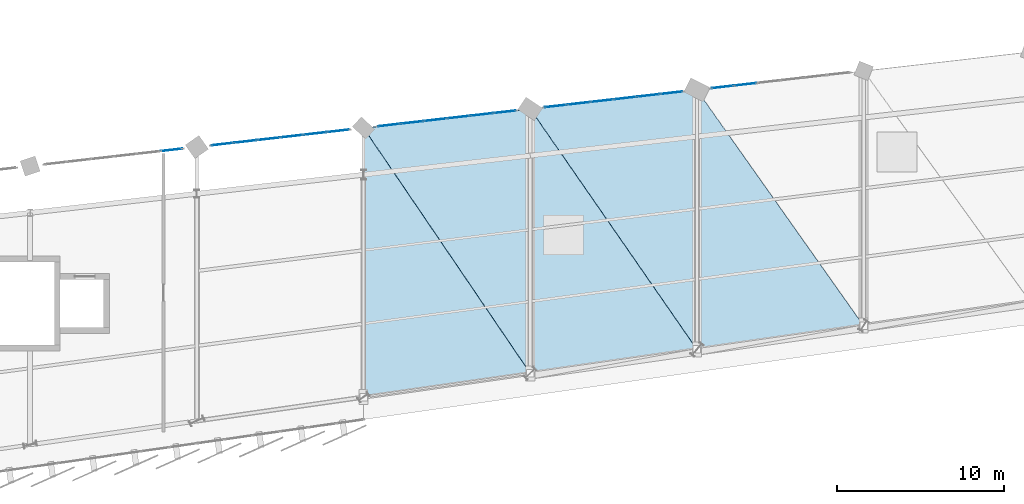
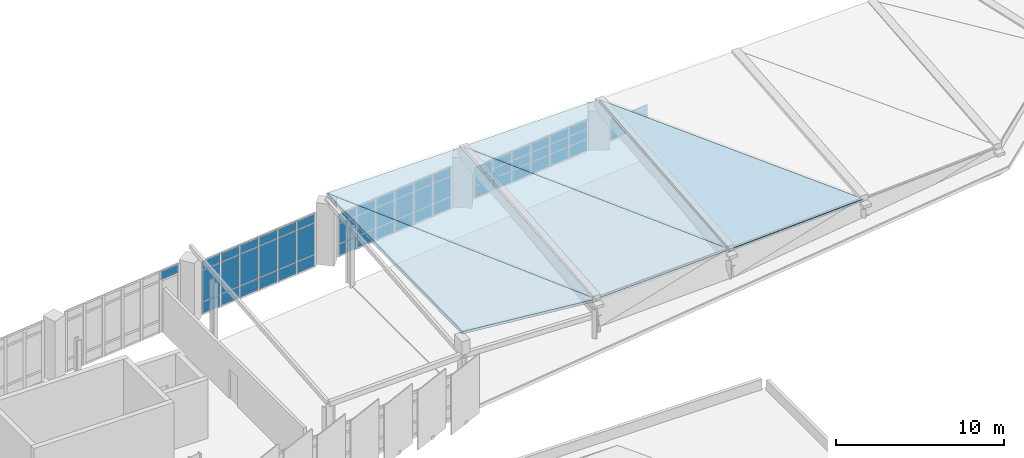
# One storey, part 50 of 67: 59 plates, 5 slabs, 5 elements without a shape of their own.
"""IFC4 building model written with IfcOpenShell, lengths in metres."""

from ifc_helpers import new_model, si_unit, direction, frame, origin, origin_2d, place, context, subcontext, project, spatial, polyline, rectangle, outline, extrude, material, layer, layer_set, type_object, element, aggregate, save


model = new_model("IFC4")

# Units and contexts
model_context = context("Model", 3, precision=1e-05, world=origin(), true_north=direction((0.0, 1.0)))
body_context = subcontext(model_context, "Body", "Model", "MODEL_VIEW")
ifc_project = project(units=[si_unit("LENGTHUNIT", "METRE"), si_unit("AREAUNIT", "SQUARE_METRE"), si_unit("VOLUMEUNIT", "CUBIC_METRE"), si_unit("PLANEANGLEUNIT", "RADIAN"), si_unit("MASSUNIT", "GRAM", prefix="KILO")], contexts=[model_context])

# Site, building, storey
site_placement = place(None, origin())
site = spatial("IfcSite", under=ifc_project, at=site_placement, CompositionType="ELEMENT")
building_placement = place(site_placement, origin())
building = spatial("IfcBuilding", under=site, at=building_placement, Name="Sohan Crest Arena", CompositionType="ELEMENT")
storey_placement = place(building_placement, frame((0.0, 0.0, 22.5)))
storey = spatial("IfcBuildingStorey", under=building, at=storey_placement, Name="L05", CompositionType="ELEMENT", Elevation=22.5)

# Curtain wall, plate
ifc_material_1 = material(Name="Thermally broken anodised aluminium", Category="aluminium")
ifc_layer_1 = layer(ifc_material_1, 0.18994140625, Name="Thermally broken anodised aluminium")
ifc_layer_set_1 = layer_set([ifc_layer_1], Name="Thermally broken anodised aluminium")
curtain_wall_type = type_object("IfcCurtainWallType", Name="ARC-CW05", PredefinedType="NOTDEFINED", material=ifc_layer_set_1)
curtain_wall_1_placement = place(storey_placement, origin())
curtain_wall_1 = element("IfcCurtainWall", 1, at=curtain_wall_1_placement, inside=storey, type_object=curtain_wall_type, Name="Unitised curtain wall CW-190", PredefinedType="NOTDEFINED")
ifc_material_2 = material(Name="Ceramic-fritted solar-control insulated glass", Category="glass")
ifc_layer_2 = layer(ifc_material_2, 0.035888671875, Name="Ceramic-fritted solar-control insulated glass")
ifc_layer_set_2 = layer_set([ifc_layer_2], Name="Ceramic-fritted solar-control insulated glass")
plate_type = type_object("IfcPlateType", Name="ARC-CNP03", PredefinedType="CURTAIN_PANEL", material=ifc_layer_set_2)
plate_1_placement = place(storey_placement, frame((116.47021484375, 49.111328125, 3.782470703125), z_axis=(0.0, 0.0, 1.0), x_axis=(0.993526932422, 0.11359680696, 0.0)))
plate_1 = element("IfcPlate", 2, at=plate_1_placement, type_object=plate_type, Name="CW-190 panel 6.3", PredefinedType="CURTAIN_PANEL", context=body_context, shape_type="SweptSolid", body=[
    extrude(rectangle(XDim=1.299072265625, YDim=0.035888671875, at=origin_2d()), origin(), (0.0, 0.0, 1.0), 0.6025390625),
])
aggregate(curtain_wall_1, [plate_1])

# Curtain wall, plates
curtain_wall_2_placement = place(storey_placement, origin())
curtain_wall_2 = element("IfcCurtainWall", 3, at=curtain_wall_2_placement, inside=storey, type_object=curtain_wall_type, Name="Unitised curtain wall CW-191", PredefinedType="NOTDEFINED")
plate_2_placement = place(storey_placement, frame((119.52978515625, 49.460693359375, 0.06494140625), z_axis=(0.0, 0.0, 1.0), x_axis=(0.993526932422, 0.11359680696, 0.0)))
plate_2 = element("IfcPlate", 4, at=plate_2_placement, type_object=plate_type, Name="CW-191 panel 1.1", PredefinedType="CURTAIN_PANEL", context=body_context, shape_type="SweptSolid", body=[
    extrude(rectangle(XDim=1.299072265625, YDim=0.035888671875, at=origin_2d()), origin(), (0.0, 0.0, 1.0), 0.802490234375),
])
plate_3_placement = place(storey_placement, frame((119.52978515625, 49.460693359375, 0.9326171875), z_axis=(0.0, 0.0, 1.0), x_axis=(0.993526932422, 0.11359680696, 0.0)))
plate_3 = element("IfcPlate", 5, at=plate_3_placement, type_object=plate_type, Name="CW-191 panel 1.2", PredefinedType="CURTAIN_PANEL", context=body_context, shape_type="SweptSolid", body=[
    extrude(rectangle(XDim=1.299072265625, YDim=0.035888671875, at=origin_2d()), origin(), (0.0, 0.0, 1.0), 2.240966796875),
])
plate_4_placement = place(storey_placement, frame((119.52978515625, 49.460693359375, 3.238525390625), z_axis=(0.0, 0.0, 1.0), x_axis=(0.993526932422, 0.11359680696, 0.0)))
plate_4 = element("IfcPlate", 6, at=plate_4_placement, type_object=plate_type, Name="CW-191 panel 1.3", PredefinedType="CURTAIN_PANEL", context=body_context, shape_type="SweptSolid", body=[
    extrude(rectangle(XDim=1.299072265625, YDim=0.035888671875, at=origin_2d()), origin(), (0.0, 0.0, 1.0), 0.6025390625),
])
plate_5_placement = place(storey_placement, frame((120.907470703125, 49.6181640625, 0.06494140625), z_axis=(0.0, 0.0, 1.0), x_axis=(0.993526932422, 0.11359680696, 0.0)))
plate_5 = element("IfcPlate", 7, at=plate_5_placement, type_object=plate_type, Name="CW-191 panel 2.1", PredefinedType="CURTAIN_PANEL", context=body_context, shape_type="SweptSolid", body=[
    extrude(rectangle(XDim=1.333984375, YDim=0.035888671875, at=origin_2d()), origin(), (0.0, 0.0, 1.0), 0.802490234375),
])
plate_6_placement = place(storey_placement, frame((120.907470703125, 49.6181640625, 0.9326171875), z_axis=(0.0, 0.0, 1.0), x_axis=(0.993526932422, 0.11359680696, 0.0)))
plate_6 = element("IfcPlate", 8, at=plate_6_placement, type_object=plate_type, Name="CW-191 panel 2.2", PredefinedType="CURTAIN_PANEL", context=body_context, shape_type="SweptSolid", body=[
    extrude(rectangle(XDim=1.333984375, YDim=0.035888671875, at=origin_2d()), origin(), (0.0, 0.0, 1.0), 2.240966796875),
])
plate_7_placement = place(storey_placement, frame((120.907470703125, 49.6181640625, 3.238525390625), z_axis=(0.0, 0.0, 1.0), x_axis=(0.993526932422, 0.11359680696, 0.0)))
plate_7 = element("IfcPlate", 9, at=plate_7_placement, type_object=plate_type, Name="CW-191 panel 2.3", PredefinedType="CURTAIN_PANEL", context=body_context, shape_type="SweptSolid", body=[
    extrude(rectangle(XDim=1.333984375, YDim=0.035888671875, at=origin_2d()), origin(), (0.0, 0.0, 1.0), 0.6025390625),
])
plate_8_placement = place(storey_placement, frame((122.302490234375, 49.77783203125, 0.06494140625), z_axis=(0.0, 0.0, 1.0), x_axis=(0.993526932422, 0.11359680696, 0.0)))
plate_8 = element("IfcPlate", 10, at=plate_8_placement, type_object=plate_type, Name="CW-191 panel 3.1", PredefinedType="CURTAIN_PANEL", context=body_context, shape_type="SweptSolid", body=[
    extrude(rectangle(XDim=1.333984375, YDim=0.035888671875, at=origin_2d()), origin(), (0.0, 0.0, 1.0), 0.802490234375),
])
plate_9_placement = place(storey_placement, frame((122.302490234375, 49.77783203125, 0.9326171875), z_axis=(0.0, 0.0, 1.0), x_axis=(0.993526932422, 0.11359680696, 0.0)))
plate_9 = element("IfcPlate", 11, at=plate_9_placement, type_object=plate_type, Name="CW-191 panel 3.2", PredefinedType="CURTAIN_PANEL", context=body_context, shape_type="SweptSolid", body=[
    extrude(rectangle(XDim=1.333984375, YDim=0.035888671875, at=origin_2d()), origin(), (0.0, 0.0, 1.0), 2.240966796875),
])
plate_10_placement = place(storey_placement, frame((122.302490234375, 49.77783203125, 3.238525390625), z_axis=(0.0, 0.0, 1.0), x_axis=(0.993526932422, 0.11359680696, 0.0)))
plate_10 = element("IfcPlate", 12, at=plate_10_placement, type_object=plate_type, Name="CW-191 panel 3.3", PredefinedType="CURTAIN_PANEL", context=body_context, shape_type="SweptSolid", body=[
    extrude(rectangle(XDim=1.333984375, YDim=0.035888671875, at=origin_2d()), origin(), (0.0, 0.0, 1.0), 0.6025390625),
])
plate_11_placement = place(storey_placement, frame((123.697509765625, 49.937255859375, 0.06494140625), z_axis=(0.0, 0.0, 1.0), x_axis=(0.993526932422, 0.11359680696, 0.0)))
plate_11 = element("IfcPlate", 13, at=plate_11_placement, type_object=plate_type, Name="CW-191 panel 4.1", PredefinedType="CURTAIN_PANEL", context=body_context, shape_type="SweptSolid", body=[
    extrude(rectangle(XDim=1.333984375, YDim=0.035888671875, at=origin_2d()), origin(), (0.0, 0.0, 1.0), 0.802490234375),
])
plate_12_placement = place(storey_placement, frame((123.697509765625, 49.937255859375, 0.9326171875), z_axis=(0.0, 0.0, 1.0), x_axis=(0.993526932422, 0.11359680696, 0.0)))
plate_12 = element("IfcPlate", 14, at=plate_12_placement, type_object=plate_type, Name="CW-191 panel 4.2", PredefinedType="CURTAIN_PANEL", context=body_context, shape_type="SweptSolid", body=[
    extrude(rectangle(XDim=1.333984375, YDim=0.035888671875, at=origin_2d()), origin(), (0.0, 0.0, 1.0), 2.240966796875),
])
plate_13_placement = place(storey_placement, frame((123.697509765625, 49.937255859375, 3.238525390625), z_axis=(0.0, 0.0, 1.0), x_axis=(0.993526932422, 0.11359680696, 0.0)))
plate_13 = element("IfcPlate", 15, at=plate_13_placement, type_object=plate_type, Name="CW-191 panel 4.3", PredefinedType="CURTAIN_PANEL", context=body_context, shape_type="SweptSolid", body=[
    extrude(rectangle(XDim=1.333984375, YDim=0.035888671875, at=origin_2d()), origin(), (0.0, 0.0, 1.0), 0.6025390625),
])
plate_14_placement = place(storey_placement, frame((125.092529296875, 50.0966796875, 0.06494140625), z_axis=(0.0, 0.0, 1.0), x_axis=(0.993526932422, 0.11359680696, 0.0)))
plate_14 = element("IfcPlate", 16, at=plate_14_placement, type_object=plate_type, Name="CW-191 panel 5.1", PredefinedType="CURTAIN_PANEL", context=body_context, shape_type="SweptSolid", body=[
    extrude(rectangle(XDim=1.333984375, YDim=0.035888671875, at=origin_2d()), origin(), (0.0, 0.0, 1.0), 0.802490234375),
])
plate_15_placement = place(storey_placement, frame((125.092529296875, 50.0966796875, 0.9326171875), z_axis=(0.0, 0.0, 1.0), x_axis=(0.993526932422, 0.11359680696, 0.0)))
plate_15 = element("IfcPlate", 17, at=plate_15_placement, type_object=plate_type, Name="CW-191 panel 5.2", PredefinedType="CURTAIN_PANEL", context=body_context, shape_type="SweptSolid", body=[
    extrude(rectangle(XDim=1.333984375, YDim=0.035888671875, at=origin_2d()), origin(), (0.0, 0.0, 1.0), 2.240966796875),
])
plate_16_placement = place(storey_placement, frame((125.092529296875, 50.0966796875, 3.238525390625), z_axis=(0.0, 0.0, 1.0), x_axis=(0.993526932422, 0.11359680696, 0.0)))
plate_16 = element("IfcPlate", 18, at=plate_16_placement, type_object=plate_type, Name="CW-191 panel 5.3", PredefinedType="CURTAIN_PANEL", context=body_context, shape_type="SweptSolid", body=[
    extrude(rectangle(XDim=1.333984375, YDim=0.035888671875, at=origin_2d()), origin(), (0.0, 0.0, 1.0), 0.6025390625),
])
plate_17_placement = place(storey_placement, frame((126.47021484375, 50.254150390625, 0.06494140625), z_axis=(0.0, 0.0, 1.0), x_axis=(0.993526932422, 0.11359680696, 0.0)))
plate_17 = element("IfcPlate", 19, at=plate_17_placement, type_object=plate_type, Name="CW-191 panel 6.1", PredefinedType="CURTAIN_PANEL", context=body_context, shape_type="SweptSolid", body=[
    extrude(rectangle(XDim=1.299072265625, YDim=0.035888671875, at=origin_2d()), origin(), (0.0, 0.0, 1.0), 0.802490234375),
])
plate_18_placement = place(storey_placement, frame((126.47021484375, 50.254150390625, 0.9326171875), z_axis=(0.0, 0.0, 1.0), x_axis=(0.993526932422, 0.11359680696, 0.0)))
plate_18 = element("IfcPlate", 20, at=plate_18_placement, type_object=plate_type, Name="CW-191 panel 6.2", PredefinedType="CURTAIN_PANEL", context=body_context, shape_type="SweptSolid", body=[
    extrude(rectangle(XDim=1.299072265625, YDim=0.035888671875, at=origin_2d()), origin(), (0.0, 0.0, 1.0), 2.240966796875),
])
plate_19_placement = place(storey_placement, frame((126.47021484375, 50.254150390625, 3.238525390625), z_axis=(0.0, 0.0, 1.0), x_axis=(0.993526932422, 0.11359680696, 0.0)))
plate_19 = element("IfcPlate", 21, at=plate_19_placement, type_object=plate_type, Name="CW-191 panel 6.3", PredefinedType="CURTAIN_PANEL", context=body_context, shape_type="SweptSolid", body=[
    extrude(rectangle(XDim=1.299072265625, YDim=0.035888671875, at=origin_2d()), origin(), (0.0, 0.0, 1.0), 0.6025390625),
])
aggregate(curtain_wall_2, [plate_2, plate_3, plate_4, plate_5, plate_6, plate_7, plate_8, plate_9, plate_10, plate_11, plate_12, plate_13, plate_14, plate_15, plate_16, plate_17, plate_18, plate_19])

curtain_wall_3_placement = place(storey_placement, origin())
curtain_wall_3 = element("IfcCurtainWall", 22, at=curtain_wall_3_placement, inside=storey, type_object=curtain_wall_type, Name="Unitised curtain wall CW-192", PredefinedType="NOTDEFINED")
plate_20_placement = place(storey_placement, frame((129.52978515625, 50.603759765625, 0.06494140625), z_axis=(0.0, 0.0, 1.0), x_axis=(0.993540322458, 0.1134796354, 0.0)))
plate_20 = element("IfcPlate", 23, at=plate_20_placement, type_object=plate_type, Name="CW-192 panel 1.1", PredefinedType="CURTAIN_PANEL", context=body_context, shape_type="SweptSolid", body=[
    extrude(rectangle(XDim=1.299072265625, YDim=0.035888671875, at=origin_2d()), origin(), (0.0, 0.0, 1.0), 0.802490234375),
])
plate_21_placement = place(storey_placement, frame((129.52978515625, 50.603759765625, 0.9326171875), z_axis=(0.0, 0.0, 1.0), x_axis=(0.993540322458, 0.1134796354, 0.0)))
plate_21 = element("IfcPlate", 24, at=plate_21_placement, type_object=plate_type, Name="CW-192 panel 1.2", PredefinedType="CURTAIN_PANEL", context=body_context, shape_type="SweptSolid", body=[
    extrude(rectangle(XDim=1.299072265625, YDim=0.035888671875, at=origin_2d()), origin(), (0.0, 0.0, 1.0), 1.419921875),
])
plate_22_placement = place(storey_placement, frame((129.52978515625, 50.603759765625, 2.41748046875), z_axis=(0.0, 0.0, 1.0), x_axis=(0.993540322458, 0.1134796354, 0.0)))
plate_22 = element("IfcPlate", 25, at=plate_22_placement, type_object=plate_type, Name="CW-192 panel 1.3", PredefinedType="CURTAIN_PANEL", context=body_context, shape_type="SweptSolid", body=[
    extrude(rectangle(XDim=1.299072265625, YDim=0.035888671875, at=origin_2d()), origin(), (0.0, 0.0, 1.0), 0.6025390625),
])
plate_23_placement = place(storey_placement, frame((130.907470703125, 50.760986328125, 0.06494140625), z_axis=(0.0, 0.0, 1.0), x_axis=(0.993540322458, 0.1134796354, 0.0)))
plate_23 = element("IfcPlate", 26, at=plate_23_placement, type_object=plate_type, Name="CW-192 panel 2.1", PredefinedType="CURTAIN_PANEL", context=body_context, shape_type="SweptSolid", body=[
    extrude(rectangle(XDim=1.333984375, YDim=0.035888671875, at=origin_2d()), origin(), (0.0, 0.0, 1.0), 0.802490234375),
])
plate_24_placement = place(storey_placement, frame((130.907470703125, 50.760986328125, 0.9326171875), z_axis=(0.0, 0.0, 1.0), x_axis=(0.993540322458, 0.1134796354, 0.0)))
plate_24 = element("IfcPlate", 27, at=plate_24_placement, type_object=plate_type, Name="CW-192 panel 2.2", PredefinedType="CURTAIN_PANEL", context=body_context, shape_type="SweptSolid", body=[
    extrude(rectangle(XDim=1.333984375, YDim=0.035888671875, at=origin_2d()), origin(), (0.0, 0.0, 1.0), 1.419921875),
])
plate_25_placement = place(storey_placement, frame((130.907470703125, 50.760986328125, 2.41748046875), z_axis=(0.0, 0.0, 1.0), x_axis=(0.993540322458, 0.1134796354, 0.0)))
plate_25 = element("IfcPlate", 28, at=plate_25_placement, type_object=plate_type, Name="CW-192 panel 2.3", PredefinedType="CURTAIN_PANEL", context=body_context, shape_type="SweptSolid", body=[
    extrude(rectangle(XDim=1.333984375, YDim=0.035888671875, at=origin_2d()), origin(), (0.0, 0.0, 1.0), 0.6025390625),
])
plate_26_placement = place(storey_placement, frame((132.302490234375, 50.92041015625, 0.06494140625), z_axis=(0.0, 0.0, 1.0), x_axis=(0.993540322458, 0.1134796354, 0.0)))
plate_26 = element("IfcPlate", 29, at=plate_26_placement, type_object=plate_type, Name="CW-192 panel 3.1", PredefinedType="CURTAIN_PANEL", context=body_context, shape_type="SweptSolid", body=[
    extrude(rectangle(XDim=1.333984375, YDim=0.035888671875, at=origin_2d()), origin(), (0.0, 0.0, 1.0), 0.802490234375),
])
plate_27_placement = place(storey_placement, frame((132.302490234375, 50.92041015625, 0.9326171875), z_axis=(0.0, 0.0, 1.0), x_axis=(0.993540322458, 0.1134796354, 0.0)))
plate_27 = element("IfcPlate", 30, at=plate_27_placement, type_object=plate_type, Name="CW-192 panel 3.2", PredefinedType="CURTAIN_PANEL", context=body_context, shape_type="SweptSolid", body=[
    extrude(rectangle(XDim=1.333984375, YDim=0.035888671875, at=origin_2d()), origin(), (0.0, 0.0, 1.0), 1.419921875),
])
plate_28_placement = place(storey_placement, frame((132.302490234375, 50.92041015625, 2.41748046875), z_axis=(0.0, 0.0, 1.0), x_axis=(0.993540322458, 0.1134796354, 0.0)))
plate_28 = element("IfcPlate", 31, at=plate_28_placement, type_object=plate_type, Name="CW-192 panel 3.3", PredefinedType="CURTAIN_PANEL", context=body_context, shape_type="SweptSolid", body=[
    extrude(rectangle(XDim=1.333984375, YDim=0.035888671875, at=origin_2d()), origin(), (0.0, 0.0, 1.0), 0.6025390625),
])
plate_29_placement = place(storey_placement, frame((133.697509765625, 51.07958984375, 0.06494140625), z_axis=(0.0, 0.0, 1.0), x_axis=(0.993540322458, 0.1134796354, 0.0)))
plate_29 = element("IfcPlate", 32, at=plate_29_placement, type_object=plate_type, Name="CW-192 panel 4.1", PredefinedType="CURTAIN_PANEL", context=body_context, shape_type="SweptSolid", body=[
    extrude(rectangle(XDim=1.333984375, YDim=0.035888671875, at=origin_2d()), origin(), (0.0, 0.0, 1.0), 0.802490234375),
])
plate_30_placement = place(storey_placement, frame((133.697509765625, 51.07958984375, 0.9326171875), z_axis=(0.0, 0.0, 1.0), x_axis=(0.993540322458, 0.1134796354, 0.0)))
plate_30 = element("IfcPlate", 33, at=plate_30_placement, type_object=plate_type, Name="CW-192 panel 4.2", PredefinedType="CURTAIN_PANEL", context=body_context, shape_type="SweptSolid", body=[
    extrude(rectangle(XDim=1.333984375, YDim=0.035888671875, at=origin_2d()), origin(), (0.0, 0.0, 1.0), 1.419921875),
])
plate_31_placement = place(storey_placement, frame((133.697509765625, 51.07958984375, 2.41748046875), z_axis=(0.0, 0.0, 1.0), x_axis=(0.993540322458, 0.1134796354, 0.0)))
plate_31 = element("IfcPlate", 34, at=plate_31_placement, type_object=plate_type, Name="CW-192 panel 4.3", PredefinedType="CURTAIN_PANEL", context=body_context, shape_type="SweptSolid", body=[
    extrude(rectangle(XDim=1.333984375, YDim=0.035888671875, at=origin_2d()), origin(), (0.0, 0.0, 1.0), 0.6025390625),
])
plate_32_placement = place(storey_placement, frame((135.092529296875, 51.239013671875, 0.06494140625), z_axis=(0.0, 0.0, 1.0), x_axis=(0.993540322458, 0.1134796354, 0.0)))
plate_32 = element("IfcPlate", 35, at=plate_32_placement, type_object=plate_type, Name="CW-192 panel 5.1", PredefinedType="CURTAIN_PANEL", context=body_context, shape_type="SweptSolid", body=[
    extrude(rectangle(XDim=1.333984375, YDim=0.035888671875, at=origin_2d()), origin(), (0.0, 0.0, 1.0), 0.802490234375),
])
plate_33_placement = place(storey_placement, frame((135.092529296875, 51.239013671875, 0.9326171875), z_axis=(0.0, 0.0, 1.0), x_axis=(0.993540322458, 0.1134796354, 0.0)))
plate_33 = element("IfcPlate", 36, at=plate_33_placement, type_object=plate_type, Name="CW-192 panel 5.2", PredefinedType="CURTAIN_PANEL", context=body_context, shape_type="SweptSolid", body=[
    extrude(rectangle(XDim=1.333984375, YDim=0.035888671875, at=origin_2d()), origin(), (0.0, 0.0, 1.0), 1.419921875),
])
plate_34_placement = place(storey_placement, frame((135.092529296875, 51.239013671875, 2.41748046875), z_axis=(0.0, 0.0, 1.0), x_axis=(0.993540322458, 0.1134796354, 0.0)))
plate_34 = element("IfcPlate", 37, at=plate_34_placement, type_object=plate_type, Name="CW-192 panel 5.3", PredefinedType="CURTAIN_PANEL", context=body_context, shape_type="SweptSolid", body=[
    extrude(rectangle(XDim=1.333984375, YDim=0.035888671875, at=origin_2d()), origin(), (0.0, 0.0, 1.0), 0.6025390625),
])
plate_35_placement = place(storey_placement, frame((136.47021484375, 51.396240234375, 0.06494140625), z_axis=(0.0, 0.0, 1.0), x_axis=(0.993540322458, 0.1134796354, 0.0)))
plate_35 = element("IfcPlate", 38, at=plate_35_placement, type_object=plate_type, Name="CW-192 panel 6.1", PredefinedType="CURTAIN_PANEL", context=body_context, shape_type="SweptSolid", body=[
    extrude(rectangle(XDim=1.299072265625, YDim=0.035888671875, at=origin_2d()), origin(), (0.0, 0.0, 1.0), 0.802490234375),
])
plate_36_placement = place(storey_placement, frame((136.47021484375, 51.396240234375, 0.9326171875), z_axis=(0.0, 0.0, 1.0), x_axis=(0.993540322458, 0.1134796354, 0.0)))
plate_36 = element("IfcPlate", 39, at=plate_36_placement, type_object=plate_type, Name="CW-192 panel 6.2", PredefinedType="CURTAIN_PANEL", context=body_context, shape_type="SweptSolid", body=[
    extrude(rectangle(XDim=1.299072265625, YDim=0.035888671875, at=origin_2d()), origin(), (0.0, 0.0, 1.0), 1.419921875),
])
plate_37_placement = place(storey_placement, frame((136.47021484375, 51.396240234375, 2.41748046875), z_axis=(0.0, 0.0, 1.0), x_axis=(0.993540322458, 0.1134796354, 0.0)))
plate_37 = element("IfcPlate", 40, at=plate_37_placement, type_object=plate_type, Name="CW-192 panel 6.3", PredefinedType="CURTAIN_PANEL", context=body_context, shape_type="SweptSolid", body=[
    extrude(rectangle(XDim=1.299072265625, YDim=0.035888671875, at=origin_2d()), origin(), (0.0, 0.0, 1.0), 0.6025390625),
])
aggregate(curtain_wall_3, [plate_20, plate_21, plate_22, plate_23, plate_24, plate_25, plate_26, plate_27, plate_28, plate_29, plate_30, plate_31, plate_32, plate_33, plate_34, plate_35, plate_36, plate_37])

curtain_wall_4_placement = place(storey_placement, origin())
curtain_wall_4 = element("IfcCurtainWall", 41, at=curtain_wall_4_placement, inside=storey, type_object=curtain_wall_type, Name="Unitised curtain wall CW-193", PredefinedType="NOTDEFINED")
plate_38_placement = place(storey_placement, frame((139.52978515625, 51.745849609375, 0.06494140625), z_axis=(0.0, 0.0, 1.0), x_axis=(0.993526932422, 0.11359680696, 0.0)))
plate_38 = element("IfcPlate", 42, at=plate_38_placement, type_object=plate_type, Name="CW-193 panel 1.1", PredefinedType="CURTAIN_PANEL", context=body_context, shape_type="SweptSolid", body=[
    extrude(rectangle(XDim=1.299072265625, YDim=0.035888671875, at=origin_2d()), origin(), (0.0, 0.0, 1.0), 0.802490234375),
])
plate_39_placement = place(storey_placement, frame((139.52978515625, 51.745849609375, 0.9326171875), z_axis=(0.0, 0.0, 1.0), x_axis=(0.993526932422, 0.11359680696, 0.0)))
plate_39 = element("IfcPlate", 43, at=plate_39_placement, type_object=plate_type, Name="CW-193 panel 1.2", PredefinedType="CURTAIN_PANEL", context=body_context, shape_type="SweptSolid", body=[
    extrude(rectangle(XDim=1.299072265625, YDim=0.035888671875, at=origin_2d()), origin(), (0.0, 0.0, 1.0), 0.64794921875),
])
plate_40_placement = place(storey_placement, frame((139.52978515625, 51.745849609375, 1.6455078125), z_axis=(0.0, 0.0, 1.0), x_axis=(0.993526932422, 0.11359680696, 0.0)))
plate_40 = element("IfcPlate", 44, at=plate_40_placement, type_object=plate_type, Name="CW-193 panel 1.3", PredefinedType="CURTAIN_PANEL", context=body_context, shape_type="SweptSolid", body=[
    extrude(rectangle(XDim=1.299072265625, YDim=0.035888671875, at=origin_2d()), origin(), (0.0, 0.0, 1.0), 0.6025390625),
])
plate_41_placement = place(storey_placement, frame((140.907470703125, 51.9033203125, 0.06494140625), z_axis=(0.0, 0.0, 1.0), x_axis=(0.993526932422, 0.11359680696, 0.0)))
plate_41 = element("IfcPlate", 45, at=plate_41_placement, type_object=plate_type, Name="CW-193 panel 2.1", PredefinedType="CURTAIN_PANEL", context=body_context, shape_type="SweptSolid", body=[
    extrude(rectangle(XDim=1.333984375, YDim=0.035888671875, at=origin_2d()), origin(), (0.0, 0.0, 1.0), 0.802490234375),
])
plate_42_placement = place(storey_placement, frame((140.907470703125, 51.9033203125, 0.9326171875), z_axis=(0.0, 0.0, 1.0), x_axis=(0.993526932422, 0.11359680696, 0.0)))
plate_42 = element("IfcPlate", 46, at=plate_42_placement, type_object=plate_type, Name="CW-193 panel 2.2", PredefinedType="CURTAIN_PANEL", context=body_context, shape_type="SweptSolid", body=[
    extrude(rectangle(XDim=1.333984375, YDim=0.035888671875, at=origin_2d()), origin(), (0.0, 0.0, 1.0), 0.64794921875),
])
plate_43_placement = place(storey_placement, frame((140.907470703125, 51.9033203125, 1.6455078125), z_axis=(0.0, 0.0, 1.0), x_axis=(0.993526932422, 0.11359680696, 0.0)))
plate_43 = element("IfcPlate", 47, at=plate_43_placement, type_object=plate_type, Name="CW-193 panel 2.3", PredefinedType="CURTAIN_PANEL", context=body_context, shape_type="SweptSolid", body=[
    extrude(rectangle(XDim=1.333984375, YDim=0.035888671875, at=origin_2d()), origin(), (0.0, 0.0, 1.0), 0.6025390625),
])
plate_44_placement = place(storey_placement, frame((142.302490234375, 52.062744140625, 0.06494140625), z_axis=(0.0, 0.0, 1.0), x_axis=(0.993526932422, 0.11359680696, 0.0)))
plate_44 = element("IfcPlate", 48, at=plate_44_placement, type_object=plate_type, Name="CW-193 panel 3.1", PredefinedType="CURTAIN_PANEL", context=body_context, shape_type="SweptSolid", body=[
    extrude(rectangle(XDim=1.333984375, YDim=0.035888671875, at=origin_2d()), origin(), (0.0, 0.0, 1.0), 0.802490234375),
])
plate_45_placement = place(storey_placement, frame((142.302490234375, 52.062744140625, 0.9326171875), z_axis=(0.0, 0.0, 1.0), x_axis=(0.993526932422, 0.11359680696, 0.0)))
plate_45 = element("IfcPlate", 49, at=plate_45_placement, type_object=plate_type, Name="CW-193 panel 3.2", PredefinedType="CURTAIN_PANEL", context=body_context, shape_type="SweptSolid", body=[
    extrude(rectangle(XDim=1.333984375, YDim=0.035888671875, at=origin_2d()), origin(), (0.0, 0.0, 1.0), 0.64794921875),
])
plate_46_placement = place(storey_placement, frame((142.302490234375, 52.062744140625, 1.6455078125), z_axis=(0.0, 0.0, 1.0), x_axis=(0.993526932422, 0.11359680696, 0.0)))
plate_46 = element("IfcPlate", 50, at=plate_46_placement, type_object=plate_type, Name="CW-193 panel 3.3", PredefinedType="CURTAIN_PANEL", context=body_context, shape_type="SweptSolid", body=[
    extrude(rectangle(XDim=1.333984375, YDim=0.035888671875, at=origin_2d()), origin(), (0.0, 0.0, 1.0), 0.6025390625),
])
plate_47_placement = place(storey_placement, frame((143.697509765625, 52.22216796875, 0.06494140625), z_axis=(0.0, 0.0, 1.0), x_axis=(0.993526932422, 0.11359680696, 0.0)))
plate_47 = element("IfcPlate", 51, at=plate_47_placement, type_object=plate_type, Name="CW-193 panel 4.1", PredefinedType="CURTAIN_PANEL", context=body_context, shape_type="SweptSolid", body=[
    extrude(rectangle(XDim=1.333984375, YDim=0.035888671875, at=origin_2d()), origin(), (0.0, 0.0, 1.0), 0.802490234375),
])
plate_48_placement = place(storey_placement, frame((143.697509765625, 52.22216796875, 0.9326171875), z_axis=(0.0, 0.0, 1.0), x_axis=(0.993526932422, 0.11359680696, 0.0)))
plate_48 = element("IfcPlate", 52, at=plate_48_placement, type_object=plate_type, Name="CW-193 panel 4.2", PredefinedType="CURTAIN_PANEL", context=body_context, shape_type="SweptSolid", body=[
    extrude(rectangle(XDim=1.333984375, YDim=0.035888671875, at=origin_2d()), origin(), (0.0, 0.0, 1.0), 0.64794921875),
])
plate_49_placement = place(storey_placement, frame((143.697509765625, 52.22216796875, 1.6455078125), z_axis=(0.0, 0.0, 1.0), x_axis=(0.993526932422, 0.11359680696, 0.0)))
plate_49 = element("IfcPlate", 53, at=plate_49_placement, type_object=plate_type, Name="CW-193 panel 4.3", PredefinedType="CURTAIN_PANEL", context=body_context, shape_type="SweptSolid", body=[
    extrude(rectangle(XDim=1.333984375, YDim=0.035888671875, at=origin_2d()), origin(), (0.0, 0.0, 1.0), 0.6025390625),
])
plate_50_placement = place(storey_placement, frame((145.092529296875, 52.3818359375, 0.06494140625), z_axis=(0.0, 0.0, 1.0), x_axis=(0.993526932422, 0.11359680696, 0.0)))
plate_50 = element("IfcPlate", 54, at=plate_50_placement, type_object=plate_type, Name="CW-193 panel 5.1", PredefinedType="CURTAIN_PANEL", context=body_context, shape_type="SweptSolid", body=[
    extrude(rectangle(XDim=1.333984375, YDim=0.035888671875, at=origin_2d()), origin(), (0.0, 0.0, 1.0), 0.802490234375),
])
plate_51_placement = place(storey_placement, frame((145.092529296875, 52.3818359375, 0.9326171875), z_axis=(0.0, 0.0, 1.0), x_axis=(0.993526932422, 0.11359680696, 0.0)))
plate_51 = element("IfcPlate", 55, at=plate_51_placement, type_object=plate_type, Name="CW-193 panel 5.2", PredefinedType="CURTAIN_PANEL", context=body_context, shape_type="SweptSolid", body=[
    extrude(rectangle(XDim=1.333984375, YDim=0.035888671875, at=origin_2d()), origin(), (0.0, 0.0, 1.0), 0.64794921875),
])
plate_52_placement = place(storey_placement, frame((145.092529296875, 52.3818359375, 1.6455078125), z_axis=(0.0, 0.0, 1.0), x_axis=(0.993526932422, 0.11359680696, 0.0)))
plate_52 = element("IfcPlate", 56, at=plate_52_placement, type_object=plate_type, Name="CW-193 panel 5.3", PredefinedType="CURTAIN_PANEL", context=body_context, shape_type="SweptSolid", body=[
    extrude(rectangle(XDim=1.333984375, YDim=0.035888671875, at=origin_2d()), origin(), (0.0, 0.0, 1.0), 0.6025390625),
])
plate_53_placement = place(storey_placement, frame((146.47021484375, 52.539306640625, 0.06494140625), z_axis=(0.0, 0.0, 1.0), x_axis=(0.993526932422, 0.11359680696, 0.0)))
plate_53 = element("IfcPlate", 57, at=plate_53_placement, type_object=plate_type, Name="CW-193 panel 6.1", PredefinedType="CURTAIN_PANEL", context=body_context, shape_type="SweptSolid", body=[
    extrude(rectangle(XDim=1.299072265625, YDim=0.035888671875, at=origin_2d()), origin(), (0.0, 0.0, 1.0), 0.802490234375),
])
plate_54_placement = place(storey_placement, frame((146.47021484375, 52.539306640625, 0.9326171875), z_axis=(0.0, 0.0, 1.0), x_axis=(0.993526932422, 0.11359680696, 0.0)))
plate_54 = element("IfcPlate", 58, at=plate_54_placement, type_object=plate_type, Name="CW-193 panel 6.2", PredefinedType="CURTAIN_PANEL", context=body_context, shape_type="SweptSolid", body=[
    extrude(rectangle(XDim=1.299072265625, YDim=0.035888671875, at=origin_2d()), origin(), (0.0, 0.0, 1.0), 0.64794921875),
])
plate_55_placement = place(storey_placement, frame((146.47021484375, 52.539306640625, 1.6455078125), z_axis=(0.0, 0.0, 1.0), x_axis=(0.993526932422, 0.11359680696, 0.0)))
plate_55 = element("IfcPlate", 59, at=plate_55_placement, type_object=plate_type, Name="CW-193 panel 6.3", PredefinedType="CURTAIN_PANEL", context=body_context, shape_type="SweptSolid", body=[
    extrude(rectangle(XDim=1.299072265625, YDim=0.035888671875, at=origin_2d()), origin(), (0.0, 0.0, 1.0), 0.6025390625),
])
aggregate(curtain_wall_4, [plate_38, plate_39, plate_40, plate_41, plate_42, plate_43, plate_44, plate_45, plate_46, plate_47, plate_48, plate_49, plate_50, plate_51, plate_52, plate_53, plate_54, plate_55])

curtain_wall_5_placement = place(storey_placement, origin())
curtain_wall_5 = element("IfcCurtainWall", 60, at=curtain_wall_5_placement, inside=storey, type_object=curtain_wall_type, Name="Unitised curtain wall CW-194", PredefinedType="NOTDEFINED")
plate_56_placement = place(storey_placement, frame((149.52978515625, 52.888671875, 0.06494140625), z_axis=(0.0, 0.0, 1.0), x_axis=(0.993526932422, 0.11359680696, 0.0)))
plate_56 = element("IfcPlate", 61, at=plate_56_placement, type_object=plate_type, Name="CW-194 panel 1.1", PredefinedType="CURTAIN_PANEL", context=body_context, shape_type="SweptSolid", body=[
    extrude(rectangle(XDim=1.299072265625, YDim=0.035888671875, at=origin_2d()), origin(), (0.0, 0.0, 1.0), 0.70458984375),
])
plate_57_placement = place(storey_placement, frame((149.52978515625, 52.888671875, 0.83447265625), z_axis=(0.0, 0.0, 1.0), x_axis=(0.993526932422, 0.11359680696, 0.0)))
plate_57 = element("IfcPlate", 62, at=plate_57_placement, type_object=plate_type, Name="CW-194 panel 1.2", PredefinedType="CURTAIN_PANEL", context=body_context, shape_type="SweptSolid", body=[
    extrude(rectangle(XDim=1.299072265625, YDim=0.035888671875, at=origin_2d()), origin(), (0.0, 0.0, 1.0), 0.70361328125),
])
plate_58_placement = place(storey_placement, frame((150.907470703125, 53.046142578125, 0.06494140625), z_axis=(0.0, 0.0, 1.0), x_axis=(0.993526932422, 0.11359680696, 0.0)))
plate_58 = element("IfcPlate", 63, at=plate_58_placement, type_object=plate_type, Name="CW-194 panel 2.1", PredefinedType="CURTAIN_PANEL", context=body_context, shape_type="SweptSolid", body=[
    extrude(rectangle(XDim=1.333984375, YDim=0.035888671875, at=origin_2d()), origin(), (0.0, 0.0, 1.0), 0.70458984375),
])
plate_59_placement = place(storey_placement, frame((150.907470703125, 53.046142578125, 0.83447265625), z_axis=(0.0, 0.0, 1.0), x_axis=(0.993526932422, 0.11359680696, 0.0)))
plate_59 = element("IfcPlate", 64, at=plate_59_placement, type_object=plate_type, Name="CW-194 panel 2.2", PredefinedType="CURTAIN_PANEL", context=body_context, shape_type="SweptSolid", body=[
    extrude(rectangle(XDim=1.333984375, YDim=0.035888671875, at=origin_2d()), origin(), (0.0, 0.0, 1.0), 0.70361328125),
])
aggregate(curtain_wall_5, [plate_56, plate_57, plate_58, plate_59])

# Slabs
ifc_material_3 = material(Name="Concrete C40/50", Category="concrete")
ifc_layer_3 = layer(ifc_material_3, 0.195068359375, Name="Concrete C40/50")
ifc_layer_set_3 = layer_set([ifc_layer_3], Name="Concrete C40/50")
slab_type = type_object("IfcSlabType", Name="SL-RF02", PredefinedType="ROOF", material=ifc_layer_set_3)
slab_1_placement = place(storey_placement, frame((128.007080078125, 50.407958984375, 4.972900390625), z_axis=(0.198695826107, -0.016231624519, 0.979926784537), x_axis=(0.0, -0.999862843193, -0.01656184778)))
element("IfcSlab", 65, at=slab_1_placement, inside=storey, type_object=slab_type, Name="Sloped roof deck panel RF-SL-079", PredefinedType="ROOF", context=body_context, shape_type="SweptSolid", body=[
    extrude(outline(polyline([(0.0, 0.0), (16.112073161758026, 6.938893903907228e-18), (14.720587591479443, 10.18301755187822), (0.0, 0.0)])), origin(), (0.0, 0.0, -1.0), 0.195068359375),
])
slab_2_placement = place(storey_placement, frame((128.012939453125, 50.419921875, 4.972900390625), z_axis=(0.09154879427, -0.090852066684, 0.99164747781), x_axis=(0.557533649554, -0.820438356947, -0.126637798721)))
element("IfcSlab", 66, at=slab_2_placement, inside=storey, type_object=slab_type, Name="Sloped roof deck panel RF-SL-080", PredefinedType="ROOF", context=body_context, shape_type="SweptSolid", body=[
    extrude(outline(polyline([(0.0, 0.0), (17.90022983676519, 5.273559366969494e-16), (4.732212762219797, 8.897943635601639), (0.0, 0.0)])), origin(), (0.0, 0.0, -1.0), 0.195068359375),
])
slab_3_placement = place(storey_placement, frame((138.007080078125, 51.551025390625, 4.156005859375), z_axis=(0.089222443005, -0.090878280717, 0.991857093415), x_axis=(0.0, -0.99582873259, -0.091242179652)))
element("IfcSlab", 67, at=slab_3_placement, inside=storey, type_object=slab_type, Name="Sloped roof deck panel RF-SL-081", PredefinedType="ROOF", context=body_context, shape_type="SweptSolid", body=[
    extrude(outline(polyline([(0.0, 0.0), (15.891237774102104, 0.0), (14.541151666046995, 10.019942759345469), (0.0, 0.0)])), origin(), (0.0, 0.0, -1.0), 0.195068359375),
])
slab_4_placement = place(storey_placement, frame((138.012939453125, 51.56201171875, 4.156005859375), z_axis=(0.086821537478, -0.092551348497, 0.991915454321), x_axis=(0.565146126251, -0.815382069427, -0.125546552485)))
element("IfcSlab", 68, at=slab_4_placement, inside=storey, type_object=slab_type, Name="Sloped roof deck panel RF-SL-082", PredefinedType="ROOF", context=body_context, shape_type="SweptSolid", body=[
    extrude(outline(polyline([(0.0, 0.0), (17.659115059241813, -2.671474153004283e-15), (4.806208546475192, 8.853834129281795), (0.0, 0.0)])), origin(), (0.0, 0.0, -1.0), 0.195068359375),
])
slab_5_placement = place(storey_placement, frame((148.007080078125, 52.694091796875, 3.388916015625), z_axis=(0.083318368813, -0.092577693544, 0.992213394425), x_axis=(0.0, -0.995675377752, -0.092900711187)))
element("IfcSlab", 69, at=slab_5_placement, inside=storey, type_object=slab_type, Name="Sloped roof deck panel RF-SL-083", PredefinedType="ROOF", context=body_context, shape_type="SweptSolid", body=[
    extrude(outline(polyline([(0.0, 0.0), (15.607535758884154, 1.3877787807814457e-17), (14.254151987881002, 10.014802137332056), (0.0, 0.0)])), origin(), (0.0, 0.0, -1.0), 0.195068359375),
])

save(model, "model.ifc")
